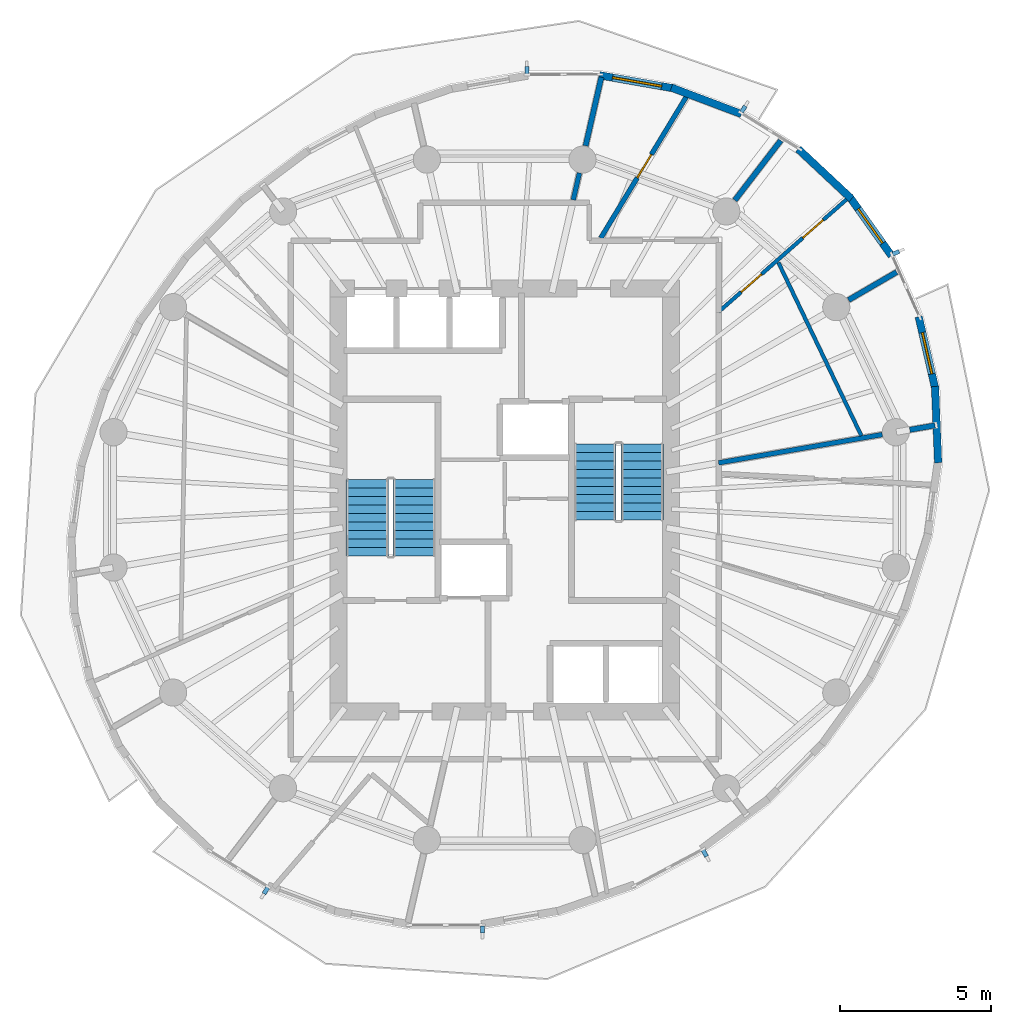
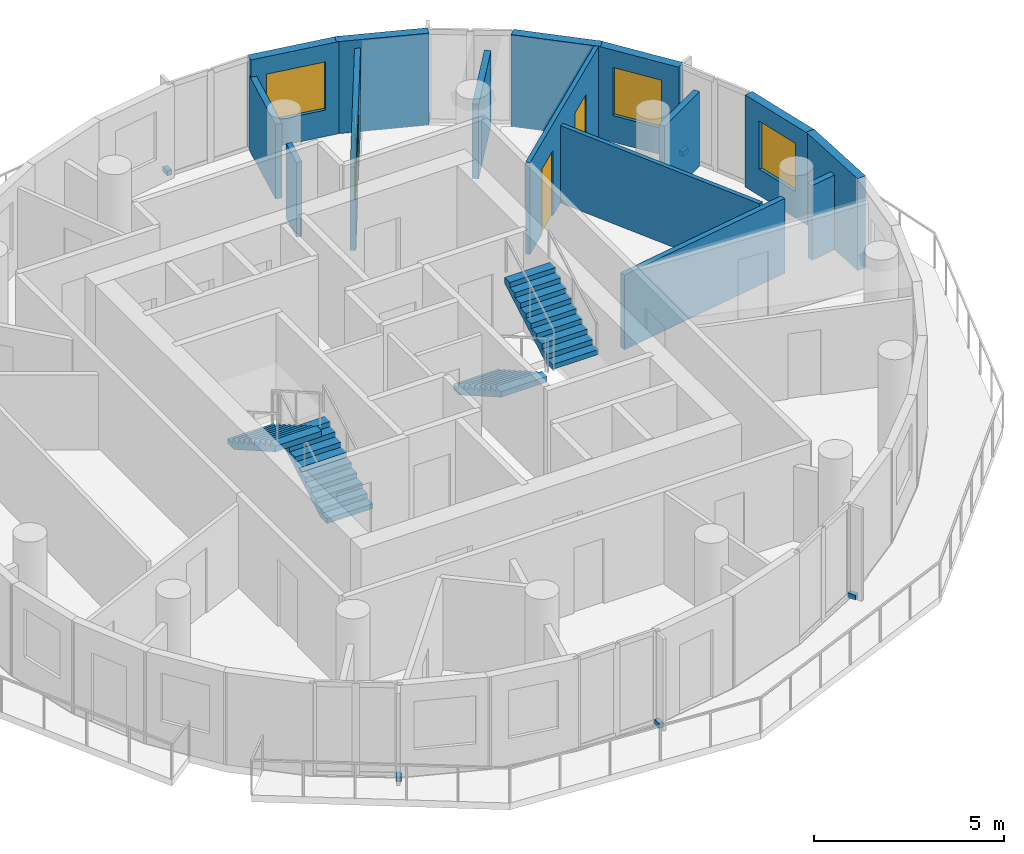
# One storey, part 7 of 10: 15 walls, 6 discrete accessories, 4 stair flights, 3 doors, 3 windows, 6 openings, 2 elements without a shape of their own.
"""IFC4 building model written with IfcOpenShell, lengths in metres."""

import ifcopenshell
import ifcopenshell.guid

model = None  # the IFC model being written
_history = None  # IfcOwnerHistory: only IFC2X3 demands one
_inside = {}  # id of a spatial element -> (the spatial element, [elements in it])
_under = {}  # id of a project, library or spatial element -> (it, [spatial elements below it])
_declared = {}  # id of a project -> (the project, [libraries it declares])
_typed = {}  # id of a type object -> (the type object, [elements of that type])
_made_of = {}  # id of a material, layer set ... -> (it, [elements and type objects made of it])


def new_model(schema):
    """Start an empty IFC model of exactly this schema.

    Asked for "IFC4X3", IfcOpenShell would pick the latest addendum, in which some entities
    have other attributes; the version numbers below select the first issue.
    IFC2X3 requires an IfcOwnerHistory on every rooted entity: one is made here for all.
    """
    global model, _history
    if schema == "IFC4X3":
        model = ifcopenshell.file(schema_version=(4, 3, 0, 0))
    else:
        model = ifcopenshell.file(schema=schema)
    _inside.clear()
    _under.clear()
    _declared.clear()
    _typed.clear()
    _made_of.clear()
    _history = None
    if model.schema == "IFC2X3":
        org = make("IfcOrganization", Name="unknown")
        user = make(
            "IfcPersonAndOrganization",
            ThePerson=make("IfcPerson", FamilyName="unknown"),
            TheOrganization=org,
        )
        app = make(
            "IfcApplication",
            ApplicationDeveloper=org,
            Version="unknown",
            ApplicationFullName="unknown",
            ApplicationIdentifier="unknown",
        )
        _history = make(
            "IfcOwnerHistory",
            OwningUser=user,
            OwningApplication=app,
            ChangeAction="ADDED",
            CreationDate=0,
        )
    return model


def make(cls, **values):
    """One entity of the class cls with the attributes given. An attribute that is None is left unset."""
    return model.create_entity(
        cls, **{name: value for name, value in values.items() if value is not None}
    )


def rooted(cls, **values):
    """An entity with a GlobalId (a new one), such as an element, a storey or a relation."""
    return make(cls, GlobalId=ifcopenshell.guid.new(), OwnerHistory=_history, **values)


def si_unit(unit_type, name, prefix=None):
    """IfcSIUnit, for example si_unit("LENGTHUNIT", "METRE", prefix="MILLI")."""
    return make("IfcSIUnit", UnitType=unit_type, Prefix=prefix, Name=name)


def assignment(units):
    """IfcUnitAssignment: the units of a project."""
    return None if units is None else make("IfcUnitAssignment", Units=units)


def point(xyz):
    """IfcCartesianPoint."""
    return None if xyz is None else make("IfcCartesianPoint", Coordinates=xyz)


def direction(xyz):
    """IfcDirection."""
    return None if xyz is None else make("IfcDirection", DirectionRatios=xyz)


def frame(location, z_axis=None, x_axis=None):
    """IfcAxis2Placement3D, a coordinate frame: its origin and axes. An axis left out is left unset."""
    return make(
        "IfcAxis2Placement3D",
        Location=point(location),
        Axis=direction(z_axis),
        RefDirection=direction(x_axis),
    )


def frame_2d(location, x_axis=None):
    """IfcAxis2Placement2D, a coordinate frame in the plane: its origin and x axis."""
    return make(
        "IfcAxis2Placement2D", Location=point(location), RefDirection=direction(x_axis)
    )


def origin():
    """The frame at (0, 0, 0) with its axes left unset."""
    return frame((0.0, 0.0, 0.0))


def origin_2d():
    """The frame at (0, 0) in the plane with its x axis left unset."""
    return frame_2d((0.0, 0.0))


def place(relative_to, where):
    """IfcLocalPlacement: puts the frame where relative to a parent placement (None: the world)."""
    return make(
        "IfcLocalPlacement", PlacementRelTo=relative_to, RelativePlacement=where
    )


def context(
    kind, dimensions, precision=None, world=None, true_north=None, identifier=None
):
    """IfcGeometricRepresentationContext, for example the 3D "Model" context."""
    return make(
        "IfcGeometricRepresentationContext",
        ContextIdentifier=identifier,
        ContextType=kind,
        CoordinateSpaceDimension=dimensions,
        Precision=precision,
        WorldCoordinateSystem=world,
        TrueNorth=true_north,
    )


def subcontext(parent, identifier, kind, view, scale=None):
    """IfcGeometricRepresentationSubContext, for example "Body" below "Model"."""
    return make(
        "IfcGeometricRepresentationSubContext",
        ContextIdentifier=identifier,
        ContextType=kind,
        ParentContext=parent,
        TargetScale=scale,
        TargetView=view,
    )


def project(units=None, contexts=None):
    """IfcProject with its units and contexts."""
    return rooted(
        "IfcProject",
        Name="project",
        RepresentationContexts=contexts,
        UnitsInContext=assignment(units),
    )


def spatial(cls, under=None, at=None, **own):
    """A site, building, storey or space (cls), placed at a placement, below another one or the project."""
    s = rooted(cls, ObjectPlacement=at, **own)
    if under is not None:
        _under.setdefault(under.id(), (under, []))[1].append(s)
    return s


def polyline(points):
    """IfcPolyline through the points."""
    return make("IfcPolyline", Points=[point(p) for p in points])


def profile(cls, at=None, kind="AREA", **sizes):
    """A parametric profile (cls). Its sizes go by their IFC names, for example OverallWidth=200.0."""
    return make(cls, ProfileType=kind, Position=at, **sizes)


def rectangle(**sizes):
    """IfcRectangleProfileDef."""
    return profile("IfcRectangleProfileDef", **sizes)


def outline(outer, holes=None, kind="AREA"):
    """IfcArbitraryClosedProfileDef: a profile drawn as a closed curve; with holes, ...WithVoids."""
    if holes is None:
        return make("IfcArbitraryClosedProfileDef", ProfileType=kind, OuterCurve=outer)
    return make(
        "IfcArbitraryProfileDefWithVoids",
        ProfileType=kind,
        OuterCurve=outer,
        InnerCurves=holes,
    )


def extrude(swept, where, along, depth):
    """IfcExtrudedAreaSolid: the profile swept, set in the frame where, extruded along a direction by depth."""
    return make(
        "IfcExtrudedAreaSolid",
        SweptArea=swept,
        Position=where,
        ExtrudedDirection=direction(along),
        Depth=depth,
    )


def shape(context_of_items, identifier, shape_type, items):
    """IfcShapeRepresentation: the items that make up one representation, for example the "Body"."""
    return make(
        "IfcShapeRepresentation",
        ContextOfItems=context_of_items,
        RepresentationIdentifier=identifier,
        RepresentationType=shape_type,
        Items=items,
    )


def material(Name=None, Category=None):
    """IfcMaterial."""
    return make("IfcMaterial", Name=Name, Category=Category)


def layer(
    of_material, thickness, ventilated=None, Name=None, Category=None, Priority=None
):
    """IfcMaterialLayer: one layer of a wall or slab, of a material (None: an air gap)."""
    return make(
        "IfcMaterialLayer",
        Material=of_material,
        LayerThickness=thickness,
        IsVentilated=ventilated,
        Name=Name,
        Category=Category,
        Priority=Priority,
    )


def layer_set(layers, Name=None):
    """IfcMaterialLayerSet."""
    return make("IfcMaterialLayerSet", MaterialLayers=layers, LayerSetName=Name)


def made_of(thing, what):
    """Note that an element or type object is made of a material, layer set ...; save() writes the relation."""
    if what is not None:
        _made_of.setdefault(what.id(), (what, []))[1].append(thing)
    return thing


def type_object(cls, material=None, **own):
    """A type object (cls), such as IfcWallType, which elements share."""
    return made_of(rooted(cls, **own), material)


def element(
    cls,
    number,
    at=None,
    inside=None,
    cuts=None,
    type_object=None,
    material=None,
    context=None,
    identifier="Body",
    shape_type=None,
    held_by="IfcProductDefinitionShape",
    body=None,
    shapes=None,
    **own,
):
    """One element of the class cls, such as IfcWall. Its Tag is "e" and its number.

    at: its placement. inside: the storey or other place that contains it. cuts: it is an
    opening in that element (IfcRelVoidsElement). A single representation is given by context,
    identifier, shape_type and body (its items); several are given by shapes. held_by: the class
    of the entity that holds the representations. save() writes the other relations.
    """
    e = rooted(cls, Tag="e%d" % number, ObjectPlacement=at, **own)
    if body is not None:
        shapes = [shape(context, identifier, shape_type, body)]
    if shapes is not None:
        e.Representation = make(held_by, Representations=shapes)
    if inside is not None:
        _inside.setdefault(inside.id(), (inside, []))[1].append(e)
    if cuts is not None:
        rooted(
            "IfcRelVoidsElement", RelatingBuildingElement=cuts, RelatedOpeningElement=e
        )
    if type_object is not None:
        _typed.setdefault(type_object.id(), (type_object, []))[1].append(e)
    return made_of(e, material)


def fill(opening, filler):
    """IfcRelFillsElement: the door or window that sits in an opening."""
    return rooted(
        "IfcRelFillsElement",
        RelatingOpeningElement=opening,
        RelatedBuildingElement=filler,
    )


def aggregate(whole, parts):
    """IfcRelAggregates: a whole, such as a stair, and the parts it consists of."""
    return rooted("IfcRelAggregates", RelatingObject=whole, RelatedObjects=parts)


def save(model, path):
    """Write the relations noted so far, then the file.

    IfcRelAggregates (storeys below a building ...), IfcRelContainedInSpatialStructure (elements
    in a storey), IfcRelDefinesByType, IfcRelAssociatesMaterial and IfcRelDeclares: one each for
    every whole, place, type object, material and project.
    """
    for whole, parts in _under.values():
        aggregate(whole, parts)
    for where, things in _inside.values():
        rooted(
            "IfcRelContainedInSpatialStructure",
            RelatedElements=things,
            RelatingStructure=where,
        )
    for kind, things in _typed.values():
        rooted("IfcRelDefinesByType", RelatedObjects=things, RelatingType=kind)
    for what, things in _made_of.values():
        rooted("IfcRelAssociatesMaterial", RelatedObjects=things, RelatingMaterial=what)
    for by, libraries in _declared.values():
        rooted("IfcRelDeclares", RelatingContext=by, RelatedDefinitions=libraries)
    model.write(path)


model = new_model("IFC4")

# Units and contexts
model_context = context("Model", 3, precision=1e-05, world=origin(), true_north=direction((0.0, 1.0)))
body_context = subcontext(model_context, "Body", "Model", "MODEL_VIEW")
ifc_project = project(units=[si_unit("LENGTHUNIT", "METRE"), si_unit("AREAUNIT", "SQUARE_METRE"), si_unit("VOLUMEUNIT", "CUBIC_METRE"), si_unit("PLANEANGLEUNIT", "RADIAN"), si_unit("MASSUNIT", "GRAM", prefix="KILO")], contexts=[model_context])

# Site, building, storey
site_placement = place(None, origin())
site = spatial("IfcSite", under=ifc_project, at=site_placement, CompositionType="ELEMENT")
building_placement = place(site_placement, origin())
building = spatial("IfcBuilding", under=site, at=building_placement, Name="Veldorim Arch Residences", CompositionType="ELEMENT")
storey_placement = place(building_placement, frame((0.0, 0.0, 172.639892578125)))
storey = spatial("IfcBuildingStorey", under=building, at=storey_placement, Name="L51", CompositionType="ELEMENT", Elevation=172.639892578125)

# Wall, openings, doors
ifc_material_1 = material(Name="Acoustic Gypsum Board", Category="gypsum")
ifc_layer_1 = layer(ifc_material_1, 0.125, Name="Acoustic Stud Room Partition Wall 125")
ifc_layer_set_1 = layer_set([ifc_layer_1], Name="Acoustic Gypsum Board")
wall_type_1 = type_object("IfcWallType", Name="Acoustic Stud Room Partition Wall 125", PredefinedType="PARTITIONING", material=ifc_layer_set_1)
wall_1_placement = place(storey_placement, frame((43.39990234375, 34.016845703125, 0.0), z_axis=(0.0, 0.0, 1.0), x_axis=(-0.751212741732, -0.660060161394, 0.0)))
wall_1 = element("IfcWall", 1, at=wall_1_placement, inside=storey, type_object=wall_type_1, Name="L51 interior wall WL-RES-L51-018", PredefinedType="PARTITIONING", context=body_context, shape_type="SweptSolid", body=[
    extrude(rectangle(XDim=5.75048828125, YDim=0.125, at=frame_2d((2.875244140625, 0.0))), origin(), (0.0, 0.0, 1.0), 2.955078125),
])
opening_1_placement = place(wall_1_placement, frame((1.141357421875, 0.0, 0.0)))
opening_1 = element("IfcOpeningElement", 2, at=opening_1_placement, cuts=wall_1, Name="Opening DR-INT", PredefinedType="OPENING", context=body_context, shape_type="SweptSolid", body=[
    extrude(rectangle(XDim=0.89990234375, YDim=2.10009765625, at=frame_2d((0.449951171875, 1.050048828125))), frame((0.0, 0.072509765625, 0.0), z_axis=(0.0, -1.0, 0.0), x_axis=(1.0, 0.0, 0.0)), (0.0, 0.0, 1.0), 0.14501953125),
])
opening_2_placement = place(wall_1_placement, frame((3.856201171875, 0.0, 0.0)))
opening_2 = element("IfcOpeningElement", 3, at=opening_2_placement, cuts=wall_1, Name="Opening DR-INT", PredefinedType="OPENING", context=body_context, shape_type="SweptSolid", body=[
    extrude(rectangle(XDim=0.89990234375, YDim=2.10009765625, at=frame_2d((0.449951171875, 1.050048828125))), frame((0.0, 0.072509765625, 0.0), z_axis=(0.0, -1.0, 0.0), x_axis=(1.0, 0.0, 0.0)), (0.0, 0.0, 1.0), 0.14501953125),
])
ifc_material_2 = material(Name="Engineered Timber", Category="wood")
door_type_1 = type_object("IfcDoorType", Name="Apartment Internal Room Timber Door 900x2100", OperationType="SINGLE_SWING_LEFT", PredefinedType="DOOR", material=ifc_material_2)
door_1_placement = place(opening_1_placement, origin())
door_1 = element("IfcDoor", 4, at=door_1_placement, inside=storey, type_object=door_type_1, Name="L51 interior door DR-RES-L51-008", OperationType="SINGLE_SWING_RIGHT", OverallHeight=2.10009765625, OverallWidth=0.89990234375, PredefinedType="DOOR", context=body_context, shape_type="SweptSolid", body=[
    extrude(rectangle(XDim=0.89990234375, YDim=2.10009765625, at=frame_2d((0.449951171875, 1.050048828125))), frame((0.0, 0.02490234375, 0.0), z_axis=(0.0, -1.0, 0.0), x_axis=(1.0, 0.0, 0.0)), (0.0, 0.0, 1.0), 0.050048828125),
])
fill(opening_1, door_1)
door_2_placement = place(opening_2_placement, origin())
door_2 = element("IfcDoor", 5, at=door_2_placement, inside=storey, type_object=door_type_1, Name="L51 interior door DR-RES-L51-009", OperationType="SINGLE_SWING_LEFT", OverallHeight=2.10009765625, OverallWidth=0.89990234375, PredefinedType="DOOR", context=body_context, shape_type="SweptSolid", body=[
    extrude(rectangle(XDim=0.89990234375, YDim=2.10009765625, at=frame_2d((0.449951171875, 1.050048828125))), frame((0.0, 0.02490234375, 0.0), z_axis=(0.0, -1.0, 0.0), x_axis=(1.0, 0.0, 0.0)), (0.0, 0.0, 1.0), 0.050048828125),
])
fill(opening_2, door_2)

# Walls
wall_2_placement = place(storey_placement, frame((43.806396484375, 26.12060546875, 0.0), z_axis=(0.0, 0.0, 1.0), x_axis=(-0.431903618355, 0.901919766083, 0.0)))
element("IfcWall", 6, at=wall_2_placement, inside=storey, type_object=wall_type_1, Name="L51 interior wall WL-RES-L51-020", PredefinedType="PARTITIONING", context=body_context, shape_type="SweptSolid", body=[
    extrude(rectangle(XDim=6.36083984375, YDim=0.125, at=frame_2d((3.180419921875, 0.0))), origin(), (0.0, 0.0, 1.0), 2.488037109375),
])
ifc_material_3 = material(Name="Lightweight Masonry Block & Gypsum", Category="masonry")
ifc_layer_2 = layer(ifc_material_3, 0.179931640625, Name="Compartment & Corridor Fire-Rated Party Wall 180")
ifc_layer_set_2 = layer_set([ifc_layer_2], Name="Lightweight Masonry Block & Gypsum")
wall_type_2 = type_object("IfcWallType", Name="Compartment & Corridor Fire-Rated Party Wall 180", PredefinedType="PARTITIONING", material=ifc_layer_set_2)
wall_3_placement = place(storey_placement, frame((45.409423828125, 26.319580078125, 0.0), z_axis=(0.0, 0.0, 1.0), x_axis=(0.985336508055, 0.170622290144, 0.0)))
element("IfcWall", 7, at=wall_3_placement, inside=storey, type_object=wall_type_2, Name="L51 interior wall WL-PIER-L51-01", PredefinedType="PARTITIONING", context=body_context, shape_type="SweptSolid", body=[
    extrude(rectangle(XDim=0.845703125, YDim=0.179931640625, at=frame_2d((0.4228515625, 0.0))), origin(), (0.0, 0.0, 1.0), 2.403564453125),
])
wall_4_placement = place(storey_placement, frame((43.3818359375, 30.614013671875, 0.0), z_axis=(0.0, 0.0, 1.0), x_axis=(0.864604991586, 0.502452195264, 0.0)))
element("IfcWall", 8, at=wall_4_placement, inside=storey, type_object=wall_type_2, Name="L51 interior wall WL-PIER-L51-02", PredefinedType="PARTITIONING", context=body_context, shape_type="SweptSolid", body=[
    extrude(rectangle(XDim=1.841064453125, YDim=0.179931640625, at=frame_2d((0.92041015625, 0.0))), origin(), (0.0, 0.0, 1.0), 2.403564453125),
])
wall_5_placement = place(storey_placement, frame((39.619873046875, 33.91796875, 0.0), z_axis=(0.0, 0.0, 1.0), x_axis=(0.609279402228, 0.792955616678, 0.0)))
element("IfcWall", 9, at=wall_5_placement, inside=storey, type_object=wall_type_2, Name="L51 interior wall WL-PIER-L51-03", PredefinedType="PARTITIONING", context=body_context, shape_type="SweptSolid", body=[
    extrude(rectangle(XDim=2.489501953125, YDim=0.179931640625, at=frame_2d((1.24462890625, 0.0))), origin(), (0.0, 0.0, 1.0), 2.403564453125),
])
wall_6_placement = place(storey_placement, frame((34.679931640625, 35.717529296875, 0.0), z_axis=(0.0, 0.0, 1.0), x_axis=(0.222998449778, 0.974818799263, 0.0)))
element("IfcWall", 10, at=wall_6_placement, inside=storey, type_object=wall_type_2, Name="L51 interior wall WL-PIER-L51-04", PredefinedType="PARTITIONING", context=body_context, shape_type="SweptSolid", body=[
    extrude(rectangle(XDim=2.32861328125, YDim=0.179931640625, at=frame_2d((1.164306640625, 0.0))), origin(), (0.0, 0.0, 1.0), 2.403564453125),
])
ifc_material_4 = material(Name="Precast concrete C40/50", Category="concrete")
ifc_layer_3 = layer(ifc_material_4, 0.25, Name="Tower Terracotta Spandrel & Pier Wall 250")
ifc_layer_set_3 = layer_set([ifc_layer_3], Name="Precast concrete C40/50")
wall_type_3 = type_object("IfcWallType", Name="Tower Terracotta Spandrel & Pier Wall 250", PredefinedType="SOLIDWALL", material=ifc_layer_set_3)
wall_7_placement = place(storey_placement, frame((41.71826171875, 35.61083984375, 0.0), z_axis=(0.0, 0.0, 1.0), x_axis=(0.730224222865, -0.683207570465, 0.0)))
element("IfcWall", 11, at=wall_7_placement, inside=storey, type_object=wall_type_3, Name="L51 terracotta facade wall 01", PredefinedType="SOLIDWALL", context=body_context, shape_type="SweptSolid", body=[
    extrude(rectangle(XDim=2.41455078125, YDim=0.25, at=frame_2d((1.207275390625, 0.0))), origin(), (0.0, 0.0, 1.0), 2.960205078125),
])
wall_8_placement = place(storey_placement, frame((37.519287109375, 37.645263671875, 0.0), z_axis=(0.0, 0.0, 1.0), x_axis=(0.93586674787, -0.352354126172, 0.0)))
element("IfcWall", 12, at=wall_8_placement, inside=storey, type_object=wall_type_3, Name="L51 terracotta facade wall 03", PredefinedType="SOLIDWALL", context=body_context, shape_type="SweptSolid", body=[
    extrude(rectangle(XDim=2.477783203125, YDim=0.25, at=frame_2d((1.23876953125, 0.0))), origin(), (0.0, 0.0, 1.0), 2.960205078125),
])

# Wall, opening, window
wall_9_placement = place(storey_placement, frame((35.134521484375, 38.0546875, 0.0), z_axis=(0.0, 0.0, 1.0), x_axis=(0.984837873762, -0.173477267688, 0.0)))
wall_9 = element("IfcWall", 13, at=wall_9_placement, inside=storey, type_object=wall_type_3, Name="L51 terracotta facade wall 04", PredefinedType="SOLIDWALL", context=body_context, shape_type="SweptSolid", body=[
    extrude(rectangle(XDim=2.53173828125, YDim=0.25, at=frame_2d((1.265869140625, 0.0))), origin(), (0.0, 0.0, 1.0), 2.960205078125),
])
opening_3_placement = place(wall_9_placement, frame((0.44091796875, 0.0, 0.85009765625)))
opening_3 = element("IfcOpeningElement", 14, at=opening_3_placement, cuts=wall_9, Name="Opening WN-03", PredefinedType="OPENING", context=body_context, shape_type="SweptSolid", body=[
    extrude(rectangle(XDim=1.64990234375, YDim=1.550048828125, at=frame_2d((0.824951171875, 0.77490234375))), frame((0.0, 0.135009765625, 0.0), z_axis=(0.0, -1.0, 0.0), x_axis=(1.0, 0.0, 0.0)), (0.0, 0.0, 1.0), 0.27001953125),
])
ifc_material_5 = material(Name="Laminated Low-E Glass", Category="glass")
window_type_1 = type_object("IfcWindowType", Name="Residential Wide Window 1650x1550", PartitioningType="SINGLE_PANEL", PredefinedType="WINDOW", material=ifc_material_5)
window_1_placement = place(opening_3_placement, origin())
window_1 = element("IfcWindow", 15, at=window_1_placement, inside=storey, type_object=window_type_1, Name="L51 solar-control facade window 04", OverallHeight=1.550048828125, OverallWidth=1.64990234375, PartitioningType="SINGLE_PANEL", PredefinedType="WINDOW", context=body_context, shape_type="SweptSolid", body=[
    extrude(rectangle(XDim=1.64990234375, YDim=1.550048828125, at=frame_2d((0.824951171875, 0.77490234375))), frame((0.0, 0.030029296875, 0.0), z_axis=(0.0, -1.0, 0.0), x_axis=(1.0, 0.0, 0.0)), (0.0, 0.0, 1.0), 0.06005859375),
])
fill(opening_3, window_1)

# Wall
wall_10_placement = place(storey_placement, frame((46.245361328125, 27.758056640625, 0.0), z_axis=(0.0, 0.0, 1.0), x_axis=(0.040399298921, -0.999183615081, 0.0)))
element("IfcWall", 16, at=wall_10_placement, inside=storey, type_object=wall_type_3, Name="L51 terracotta facade wall 33", PredefinedType="SOLIDWALL", context=body_context, shape_type="SweptSolid", body=[
    extrude(rectangle(XDim=2.531982421875, YDim=0.25, at=frame_2d((1.26611328125, 0.0))), origin(), (0.0, 0.0, 1.0), 2.960205078125),
])

# Wall, opening, window
wall_11_placement = place(storey_placement, frame((45.705078125, 30.060791015625, 0.0), z_axis=(0.0, 0.0, 1.0), x_axis=(0.224175769227, -0.974548728639, 0.0)))
wall_11 = element("IfcWall", 17, at=wall_11_placement, inside=storey, type_object=wall_type_3, Name="L51 terracotta facade wall 34", PredefinedType="SOLIDWALL", context=body_context, shape_type="SweptSolid", body=[
    extrude(rectangle(XDim=2.4775390625, YDim=0.25, at=frame_2d((1.23876953125, 0.0))), origin(), (0.0, 0.0, 1.0), 2.960205078125),
])
opening_4_placement = place(wall_11_placement, frame((0.5390625, 0.0, 0.85009765625)))
opening_4 = element("IfcOpeningElement", 18, at=opening_4_placement, cuts=wall_11, Name="Opening WN-02", PredefinedType="OPENING", context=body_context, shape_type="SweptSolid", body=[
    extrude(rectangle(XDim=1.39990234375, YDim=1.550048828125, at=frame_2d((0.699951171875, 0.77490234375))), frame((0.0, 0.135009765625, 0.0), z_axis=(0.0, -1.0, 0.0), x_axis=(1.0, 0.0, 0.0)), (0.0, 0.0, 1.0), 0.27001953125),
])
ifc_material_6 = material(Name="Laminated Low-E Glass", Category="glass")
window_type_2 = type_object("IfcWindowType", Name="Residential Casement Window 1400x1550", PartitioningType="SINGLE_PANEL", PredefinedType="WINDOW", material=ifc_material_6)
window_2_placement = place(opening_4_placement, origin())
window_2 = element("IfcWindow", 19, at=window_2_placement, inside=storey, type_object=window_type_2, Name="L51 solar-control facade window 34", OverallHeight=1.550048828125, OverallWidth=1.39990234375, PartitioningType="SINGLE_PANEL", PredefinedType="WINDOW", context=body_context, shape_type="SweptSolid", body=[
    extrude(rectangle(XDim=1.39990234375, YDim=1.550048828125, at=frame_2d((0.699951171875, 0.77490234375))), frame((0.0, 0.030029296875, 0.0), z_axis=(0.0, -1.0, 0.0), x_axis=(1.0, 0.0, 0.0)), (0.0, 0.0, 1.0), 0.06005859375),
])
fill(opening_4, window_2)

wall_12_placement = place(storey_placement, frame((43.406005859375, 34.04736328125, 0.0), z_axis=(0.0, 0.0, 1.0), x_axis=(0.579505880656, -0.814968057217, 0.0)))
wall_12 = element("IfcWall", 20, at=wall_12_placement, inside=storey, type_object=wall_type_3, Name="L51 terracotta facade wall 36", PredefinedType="SOLIDWALL", context=body_context, shape_type="SweptSolid", body=[
    extrude(rectangle(XDim=2.414794921875, YDim=0.25, at=frame_2d((1.20751953125, 0.0))), origin(), (0.0, 0.0, 1.0), 2.960205078125),
])
opening_5_placement = place(wall_12_placement, frame((0.507080078125, 0.0, 0.85009765625)))
opening_5 = element("IfcOpeningElement", 21, at=opening_5_placement, cuts=wall_12, Name="Opening WN-02", PredefinedType="OPENING", context=body_context, shape_type="SweptSolid", body=[
    extrude(rectangle(XDim=1.39990234375, YDim=1.550048828125, at=frame_2d((0.699951171875, 0.77490234375))), frame((0.0, 0.135009765625, 0.0), z_axis=(0.0, -1.0, 0.0), x_axis=(1.0, 0.0, 0.0)), (0.0, 0.0, 1.0), 0.27001953125),
])
window_3_placement = place(opening_5_placement, origin())
window_3 = element("IfcWindow", 22, at=window_3_placement, inside=storey, type_object=window_type_2, Name="L51 solar-control facade window 36", OverallHeight=1.550048828125, OverallWidth=1.39990234375, PartitioningType="SINGLE_PANEL", PredefinedType="WINDOW", context=body_context, shape_type="SweptSolid", body=[
    extrude(rectangle(XDim=1.39990234375, YDim=1.550048828125, at=frame_2d((0.699951171875, 0.77490234375))), frame((0.0, 0.030029296875, 0.0), z_axis=(0.0, -1.0, 0.0), x_axis=(1.0, 0.0, 0.0)), (0.0, 0.0, 1.0), 0.06005859375),
])
fill(opening_5, window_3)

# Wall
ifc_material_7 = material(Name="Moisture-Resistant Gypsum & Stud", Category="gypsum")
ifc_layer_4 = layer(ifc_material_7, 0.159912109375, Name="Wet-Area Moisture-Resistant Plumbing Wall 160")
ifc_layer_set_4 = layer_set([ifc_layer_4], Name="Moisture-Resistant Gypsum & Stud")
wall_type_4 = type_object("IfcWallType", Name="Wet-Area Moisture-Resistant Plumbing Wall 160", PredefinedType="PLUMBINGWALL", material=ifc_layer_set_4)
wall_13_placement = place(storey_placement, frame((39.080078125, 25.224609375, 0.0), z_axis=(0.0, 0.0, 1.0), x_axis=(0.985359973695, 0.170486721591, 0.0)))
element("IfcWall", 23, at=wall_13_placement, inside=storey, type_object=wall_type_4, Name="L51 interior wall WL-RES-L51-016", PredefinedType="PLUMBINGWALL", context=body_context, shape_type="SweptSolid", body=[
    extrude(rectangle(XDim=5.4990234375, YDim=0.159912109375, at=frame_2d((2.74951171875, 0.0))), origin(), (0.0, 0.0, 1.0), 2.403564453125),
])

# Wall, opening, door
wall_14_placement = place(storey_placement, frame((35.18017578125, 32.66552734375, 0.0), z_axis=(0.0, 0.0, 1.0), x_axis=(0.518194743754, 0.855262654128, 0.0)))
wall_14 = element("IfcWall", 24, at=wall_14_placement, inside=storey, type_object=wall_type_4, Name="L51 interior wall WL-RES-L51-017", PredefinedType="PLUMBINGWALL", context=body_context, shape_type="SweptSolid", body=[
    extrude(rectangle(XDim=5.564208984375, YDim=0.159912109375, at=frame_2d((2.7822265625, 0.0))), origin(), (0.0, 0.0, 1.0), 2.692138671875),
])
opening_6_placement = place(wall_14_placement, frame((2.33203125, 0.0, 0.0)))
opening_6 = element("IfcOpeningElement", 25, at=opening_6_placement, cuts=wall_14, Name="Opening DR-WC", PredefinedType="OPENING", context=body_context, shape_type="SweptSolid", body=[
    extrude(rectangle(XDim=0.89990234375, YDim=2.10009765625, at=frame_2d((0.449951171875, 1.050048828125))), frame((0.0, 0.08984375, 0.0), z_axis=(0.0, -1.0, 0.0), x_axis=(1.0, 0.0, 0.0)), (0.0, 0.0, 1.0), 0.179931640625),
])
ifc_material_8 = material(Name="Laminate Timber", Category="wood")
door_type_2 = type_object("IfcDoorType", Name="Bathroom & Accessible WC Moisture-Sealed Door 900x2100", OperationType="SINGLE_SWING_LEFT", PredefinedType="DOOR", material=ifc_material_8)
door_3_placement = place(opening_6_placement, origin())
door_3 = element("IfcDoor", 26, at=door_3_placement, inside=storey, type_object=door_type_2, Name="L51 interior door DR-RES-L51-007", OperationType="SINGLE_SWING_LEFT", OverallHeight=2.10009765625, OverallWidth=0.89990234375, PredefinedType="DOOR", context=body_context, shape_type="SweptSolid", body=[
    extrude(rectangle(XDim=0.89990234375, YDim=2.10009765625, at=frame_2d((0.449951171875, 1.050048828125))), frame((0.0, 0.02490234375, 0.0), z_axis=(0.0, -1.0, 0.0), x_axis=(1.0, 0.0, 0.0)), (0.0, 0.0, 1.0), 0.050048828125),
])
fill(opening_6, door_3)

# Wall
wall_15_placement = place(storey_placement, frame((34.2705078125, 33.927490234375, 0.0), z_axis=(0.0, 0.0, 1.0), x_axis=(0.222991179816, 0.974820462303, 0.0)))
element("IfcWall", 27, at=wall_15_placement, inside=storey, type_object=wall_type_4, Name="L51 interior wall WL-RES-L51-019", PredefinedType="PLUMBINGWALL", context=body_context, shape_type="SweptSolid", body=[
    extrude(rectangle(XDim=0.91650390625, YDim=0.159912109375, at=frame_2d((0.458251953125, 0.0))), origin(), (0.0, 0.0, 1.0), 2.403564453125),
])

# Stair, stair flights
ifc_material_9 = material(Name="Concrete C40/50", Category="concrete")
stair_type = type_object("IfcStairType", Name="Reinforced Concrete Dogleg Exit Staircase", PredefinedType="HALF_TURN_STAIR", material=ifc_material_9)
stair_1_placement = place(storey_placement, origin())
stair_1 = element("IfcStair", 28, at=stair_1_placement, inside=storey, type_object=stair_type, Name="L51 Exit Staircase ST-1", PredefinedType="HALF_TURN_STAIR")
ifc_material_10 = material(Name="Concrete C40/50", Category="concrete")
stair_flight_type = type_object("IfcStairFlightType", Name="Reinforced Concrete Stair Flight 1400", PredefinedType="STRAIGHT", material=ifc_material_10)
stair_flight_1_placement = place(storey_placement, frame((29.010009765625, 22.14990234375, 0.0), z_axis=(0.0, 0.0, 1.0), x_axis=(0.0, 1.0, 0.0)))
stair_flight_1 = element("IfcStairFlight", 29, at=stair_flight_1_placement, type_object=stair_flight_type, Name="ST-1 flight 1", NumberOfRisers=10, NumberOfTreads=9, PredefinedType="STRAIGHT", RiserHeight=0.16, TreadLength=0.28, context=body_context, shape_type="SweptSolid", body=[
    extrude(outline(polyline([(0.0, 0.0), (0.0, 0.159912109375), (0.280029296875, 0.159912109375), (0.280029296875, 0.320068359375), (0.56005859375, 0.320068359375), (0.56005859375, 0.47998046875), (0.840087890625, 0.47998046875), (0.840087890625, 0.639892578125), (1.1201171875, 0.639892578125), (1.1201171875, 0.800048828125), (1.39990234375, 0.800048828125), (1.39990234375, 0.9599609375), (1.679931640625, 0.9599609375), (1.679931640625, 1.1201171875), (1.9599609375, 1.1201171875), (1.9599609375, 1.280029296875), (2.239990234375, 1.280029296875), (2.239990234375, 1.43994140625), (2.52001953125, 1.43994140625), (2.52001953125, 1.60009765625), (2.52001953125, 1.255859375), (0.322265625, 0.0), (0.0, 0.0)])), frame((0.0, 0.699951171875, 0.0), z_axis=(0.0, -1.0, 0.0), x_axis=(1.0, 0.0, 0.0)), (0.0, 0.0, 1.0), 1.39990234375),
])
stair_flight_2_placement = place(storey_placement, frame((27.449951171875, 24.669921875, 1.60009765625), z_axis=(0.0, 0.0, 1.0), x_axis=(0.0, -1.0, 0.0)))
stair_flight_2 = element("IfcStairFlight", 30, at=stair_flight_2_placement, type_object=stair_flight_type, Name="ST-1 flight 2", NumberOfRisers=10, NumberOfTreads=9, PredefinedType="STRAIGHT", RiserHeight=0.16, TreadLength=0.28, context=body_context, shape_type="SweptSolid", body=[
    extrude(outline(polyline([(0.0, 0.0), (0.0, 0.159912109375), (0.280029296875, 0.159912109375), (0.280029296875, 0.320068359375), (0.56005859375, 0.320068359375), (0.56005859375, 0.47998046875), (0.840087890625, 0.47998046875), (0.840087890625, 0.639892578125), (1.1201171875, 0.639892578125), (1.1201171875, 0.800048828125), (1.39990234375, 0.800048828125), (1.39990234375, 0.9599609375), (1.679931640625, 0.9599609375), (1.679931640625, 1.1201171875), (1.9599609375, 1.1201171875), (1.9599609375, 1.280029296875), (2.239990234375, 1.280029296875), (2.239990234375, 1.43994140625), (2.52001953125, 1.43994140625), (2.52001953125, 1.60009765625), (2.52001953125, 1.255859375), (0.322265625, 0.0), (0.0, 0.0)])), frame((0.0, 0.699951171875, 0.0), z_axis=(0.0, -1.0, 0.0), x_axis=(1.0, 0.0, 0.0)), (0.0, 0.0, 1.0), 1.39990234375),
])
aggregate(stair_1, [stair_flight_1, stair_flight_2])

stair_2_placement = place(storey_placement, origin())
stair_2 = element("IfcStair", 31, at=stair_2_placement, inside=storey, type_object=stair_type, Name="L51 Exit Staircase ST-2", PredefinedType="HALF_TURN_STAIR")
stair_flight_3_placement = place(storey_placement, frame((34.989990234375, 25.85009765625, 0.0), z_axis=(0.0, 0.0, 1.0), x_axis=(0.0, -1.0, 0.0)))
stair_flight_3 = element("IfcStairFlight", 32, at=stair_flight_3_placement, type_object=stair_flight_type, Name="ST-2 flight 1", NumberOfRisers=10, NumberOfTreads=9, PredefinedType="STRAIGHT", RiserHeight=0.16, TreadLength=0.28, context=body_context, shape_type="SweptSolid", body=[
    extrude(outline(polyline([(0.0, 0.0), (0.0, 0.159912109375), (0.280029296875, 0.159912109375), (0.280029296875, 0.320068359375), (0.56005859375, 0.320068359375), (0.56005859375, 0.47998046875), (0.840087890625, 0.47998046875), (0.840087890625, 0.639892578125), (1.1201171875, 0.639892578125), (1.1201171875, 0.800048828125), (1.39990234375, 0.800048828125), (1.39990234375, 0.9599609375), (1.679931640625, 0.9599609375), (1.679931640625, 1.1201171875), (1.9599609375, 1.1201171875), (1.9599609375, 1.280029296875), (2.239990234375, 1.280029296875), (2.239990234375, 1.43994140625), (2.52001953125, 1.43994140625), (2.52001953125, 1.60009765625), (2.52001953125, 1.255859375), (0.322265625, 0.0), (0.0, 0.0)])), frame((0.0, 0.699951171875, 0.0), z_axis=(0.0, -1.0, 0.0), x_axis=(1.0, 0.0, 0.0)), (0.0, 0.0, 1.0), 1.39990234375),
])
stair_flight_4_placement = place(storey_placement, frame((36.550048828125, 23.330078125, 1.60009765625), z_axis=(0.0, 0.0, 1.0), x_axis=(0.0, 1.0, 0.0)))
stair_flight_4 = element("IfcStairFlight", 33, at=stair_flight_4_placement, type_object=stair_flight_type, Name="ST-2 flight 2", NumberOfRisers=10, NumberOfTreads=9, PredefinedType="STRAIGHT", RiserHeight=0.16, TreadLength=0.28, context=body_context, shape_type="SweptSolid", body=[
    extrude(outline(polyline([(0.0, 0.0), (0.0, 0.159912109375), (0.280029296875, 0.159912109375), (0.280029296875, 0.320068359375), (0.56005859375, 0.320068359375), (0.56005859375, 0.47998046875), (0.840087890625, 0.47998046875), (0.840087890625, 0.639892578125), (1.1201171875, 0.639892578125), (1.1201171875, 0.800048828125), (1.39990234375, 0.800048828125), (1.39990234375, 0.9599609375), (1.679931640625, 0.9599609375), (1.679931640625, 1.1201171875), (1.9599609375, 1.1201171875), (1.9599609375, 1.280029296875), (2.239990234375, 1.280029296875), (2.239990234375, 1.43994140625), (2.52001953125, 1.43994140625), (2.52001953125, 1.60009765625), (2.52001953125, 1.255859375), (0.322265625, 0.0), (0.0, 0.0)])), frame((0.0, 0.699951171875, 0.0), z_axis=(0.0, -1.0, 0.0), x_axis=(1.0, 0.0, 0.0)), (0.0, 0.0, 1.0), 1.39990234375),
])
aggregate(stair_2, [stair_flight_3, stair_flight_4])

# Discrete accessories
ifc_material_11 = material(Name="Stainless Steel", Category="steel")
discrete_accessory_type = type_object("IfcDiscreteAccessoryType", Name="Stainless Steel Facade Fin Anchor Bracket", PredefinedType="BRACKET", material=ifc_material_11)
for number, where, z_axis, x_axis, name in (
    (34, (39.902099609375, 36.93408203125, -0.02001953125), (0.0, 0.0, 1.0), (0.850719384362, -0.52562013762, 0.0), "L51 stainless fin anchor bracket 02"),
    (35, (32.735595703125, 38.220947265625, -0.02001953125), (0.0, 0.0, 1.0), (0.999996573056, 0.002617990887, 0.0), "L51 stainless fin anchor bracket 05"),
    (36, (24.097900390625, 11.06591796875, -0.02001953125), (0.0, 0.0, 1.0), (-0.850719384362, 0.52562013762, 0.0), "L51 stainless fin anchor bracket 20"),
    (37, (31.264404296875, 9.779052734375, -0.02001953125), (0.0, 0.0, 1.0), (-0.999996573056, -0.002617990887, 0.0), "L51 stainless fin anchor bracket 23"),
    (38, (38.624755859375, 12.3046875, -0.02001953125), (0.0, 0.0, 1.0), (-0.882537565484, -0.470241901057, 0.0), "L51 stainless fin anchor bracket 26"),
    (39, (44.948974609375, 32.177490234375, -0.02001953125), (0.0, 0.0, 1.0), (0.407214918582, -0.913332365617, 0.0), "L51 stainless fin anchor bracket 35"),
):
    element("IfcDiscreteAccessory", number, at=place(storey_placement, frame(where, z_axis=z_axis, x_axis=x_axis)), inside=storey, type_object=discrete_accessory_type, Name=name, PredefinedType="BRACKET", context=body_context, shape_type="SweptSolid", body=[
        extrude(rectangle(XDim=0.139892578125, YDim=0.239990234375, at=origin_2d()), origin(), (0.0, 0.0, 1.0), 0.159912109375),
    ])

save(model, "model.ifc")
